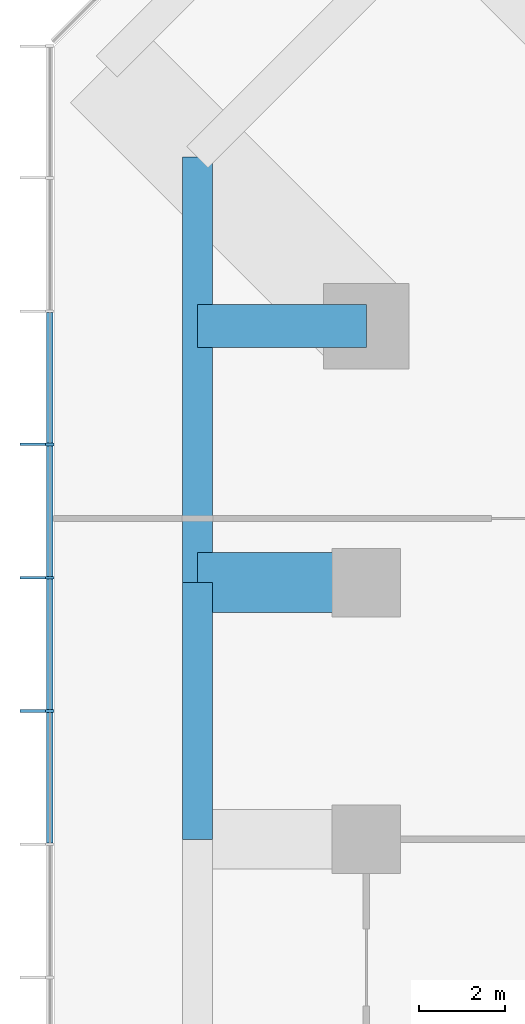
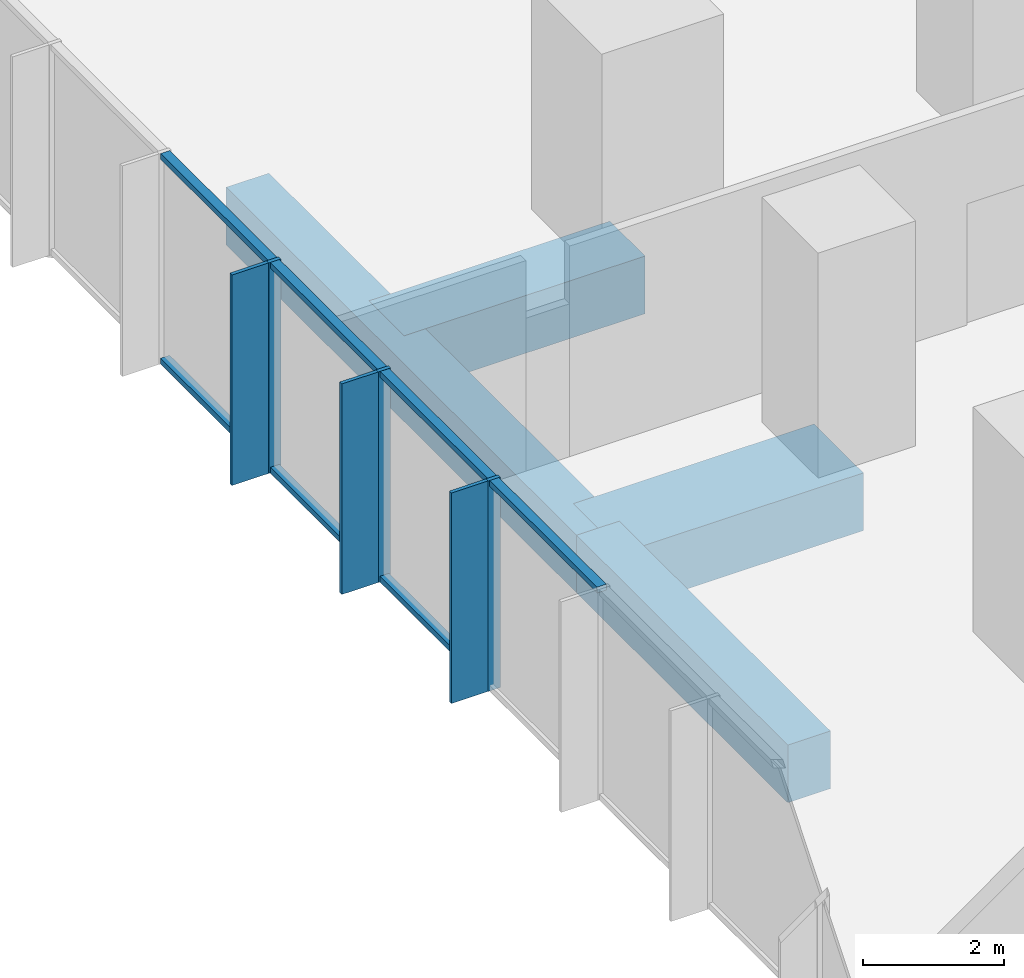
# One storey, part 3 of 11: 13 members, 4 beams, 1 element without a shape of its own.
"""IFC4 building model written with IfcOpenShell, lengths in metres."""

from ifc_helpers import new_model, si_unit, direction, frame, origin, origin_2d, place, context, subcontext, project, spatial, rectangle, extrude, material, layer, layer_set, material_profile, profile_set, type_object, element, aggregate, save


model = new_model("IFC4")

# Units and contexts
model_context = context("Model", 3, precision=1e-05, world=origin(), true_north=direction((0.0, 1.0)))
body_context = subcontext(model_context, "Body", "Model", "MODEL_VIEW")
ifc_project = project(units=[si_unit("LENGTHUNIT", "METRE"), si_unit("AREAUNIT", "SQUARE_METRE"), si_unit("VOLUMEUNIT", "CUBIC_METRE"), si_unit("PLANEANGLEUNIT", "RADIAN"), si_unit("MASSUNIT", "GRAM", prefix="KILO")], contexts=[model_context])

# Site, building, storey
site_placement = place(None, origin())
site = spatial("IfcSite", under=ifc_project, at=site_placement, CompositionType="ELEMENT")
building_placement = place(site_placement, origin())
building = spatial("IfcBuilding", under=site, at=building_placement, Name="Highveld Stack Headquarters", CompositionType="ELEMENT")
storey_placement = place(building_placement, frame((0.0, 0.0, 93.800048828125)))
storey = spatial("IfcBuildingStorey", under=building, at=storey_placement, Name="L22", CompositionType="ELEMENT", Elevation=93.800048828125)

# Beams
ifc_material_1 = material(Name="Concrete C60/75", Category="concrete")
ifc_material_profile_1 = material_profile(ifc_material_1, rectangle(XDim=1.0, YDim=1.0, at=origin_2d()), Name="RC 1000x1000")
ifc_profile_set_1 = profile_set([ifc_material_profile_1], Name="Concrete C60/75")
beam_type_1 = type_object("IfcBeamType", Name="CANTILEVER RIB RC 1000x1000", PredefinedType="USERDEFINED", material=ifc_profile_set_1)
beam_1_placement = place(storey_placement, frame((-18.0, 18.0, -0.75), z_axis=(-1.0, 0.0, 0.0), x_axis=(0.0, -1.0, 0.0)))
element("IfcBeam", 1, at=beam_1_placement, inside=storey, type_object=beam_type_1, Name="Cantilever rib 3/H L22", ObjectType="CANTILEVER RIB", PredefinedType="USERDEFINED", context=body_context, shape_type="SweptSolid", body=[
    extrude(rectangle(XDim=1.0, YDim=1.0, at=origin_2d()), origin(), (0.0, 0.0, 1.0), 3.949951171875),
])
ifc_material_2 = material(Name="Concrete C60/75", Category="concrete")
ifc_material_profile_2 = material_profile(ifc_material_2, rectangle(XDim=1.39990234375, YDim=1.0, at=origin_2d()), Name="RC 1400x1000")
ifc_profile_set_2 = profile_set([ifc_material_profile_2], Name="Concrete C60/75")
beam_type_2 = type_object("IfcBeamType", Name="CANTILEVER RIB RC 1400x1000", PredefinedType="USERDEFINED", material=ifc_profile_set_2)
beam_2_placement = place(storey_placement, frame((-18.0, 12.0, -0.75), z_axis=(-1.0, 0.0, 0.0), x_axis=(0.0, -1.0, 0.0)))
element("IfcBeam", 2, at=beam_2_placement, inside=storey, type_object=beam_type_2, Name="Cantilever rib 3/G L22", ObjectType="CANTILEVER RIB", PredefinedType="USERDEFINED", context=body_context, shape_type="SweptSolid", body=[
    extrude(rectangle(XDim=1.39990234375, YDim=1.0, at=origin_2d()), origin(), (0.0, 0.0, 1.0), 3.949951171875),
])

# Curtain wall, members
ifc_material_3 = material(Name="Aluminium bronze anodised", Category="aluminium")
ifc_layer = layer(ifc_material_3, 0.199951171875)
ifc_layer_set = layer_set([ifc_layer], Name="Aluminium bronze anodised")
curtain_wall_type = type_object("IfcCurtainWallType", Name="CW6 SKY LOBBY UNITISED CURTAIN WALL", PredefinedType="NOTDEFINED", material=ifc_layer_set)
curtain_wall_placement = place(storey_placement, origin())
curtain_wall = element("IfcCurtainWall", 3, at=curtain_wall_placement, inside=storey, type_object=curtain_wall_type, Name="Curtain wall CW6 L22 W", PredefinedType="NOTDEFINED")
ifc_material_4 = material(Name="Aluminium bronze anodised", Category="aluminium")
ifc_material_profile_3 = material_profile(ifc_material_4, rectangle(XDim=0.60009765625, YDim=0.06005859375, at=origin_2d()), Name="FIN 600x60")
ifc_profile_set_3 = profile_set([ifc_material_profile_3], Name="Aluminium bronze anodised")
member_type_1 = type_object("IfcMemberType", Name="CW6 BRONZE FIN 600x60", PredefinedType="USERDEFINED", material=ifc_profile_set_3)
member_1_placement = place(storey_placement, frame((-25.800048828125, 15.23193359375, 0.0), z_axis=(0.0, 0.0, 1.0), x_axis=(1.0, 0.0, 0.0)))
member_1 = element("IfcMember", 4, at=member_1_placement, type_object=member_type_1, Name="CW6 fin L22 4", ObjectType="FIN", PredefinedType="USERDEFINED", context=body_context, shape_type="SweptSolid", body=[
    extrude(rectangle(XDim=0.60009765625, YDim=0.06005859375, at=origin_2d()), origin(), (0.0, 0.0, 1.0), 3.64990234375),
])
member_2_placement = place(storey_placement, frame((-25.800048828125, 12.115966796875, 0.0), z_axis=(0.0, 0.0, 1.0), x_axis=(1.0, 0.0, 0.0)))
member_2 = element("IfcMember", 5, at=member_2_placement, type_object=member_type_1, Name="CW6 fin L22 5", ObjectType="FIN", PredefinedType="USERDEFINED", context=body_context, shape_type="SweptSolid", body=[
    extrude(rectangle(XDim=0.60009765625, YDim=0.06005859375, at=origin_2d()), origin(), (0.0, 0.0, 1.0), 3.64990234375),
])
member_3_placement = place(storey_placement, frame((-25.800048828125, 9.0, 0.0), z_axis=(0.0, 0.0, 1.0), x_axis=(1.0, 0.0, 0.0)))
member_3 = element("IfcMember", 6, at=member_3_placement, type_object=member_type_1, Name="CW6 fin L22 6", ObjectType="FIN", PredefinedType="USERDEFINED", context=body_context, shape_type="SweptSolid", body=[
    extrude(rectangle(XDim=0.60009765625, YDim=0.06005859375, at=origin_2d()), origin(), (0.0, 0.0, 1.0), 3.64990234375),
])
ifc_material_5 = material(Name="Aluminium bronze anodised", Category="aluminium")
ifc_material_profile_4 = material_profile(ifc_material_5, rectangle(XDim=0.199951171875, YDim=0.06494140625, at=origin_2d()), Name="CW6 MULLION 65x200")
ifc_profile_set_4 = profile_set([ifc_material_profile_4], Name="Aluminium bronze anodised")
member_type_2 = type_object("IfcMemberType", Name="CW6 MULLION 65x200", PredefinedType="MULLION", material=ifc_profile_set_4)
member_4_placement = place(storey_placement, frame((-25.39990234375, 15.23193359375, 0.0), z_axis=(0.0, 0.0, 1.0), x_axis=(1.0, 0.0, 0.0)))
member_4 = element("IfcMember", 7, at=member_4_placement, type_object=member_type_2, Name="CW6 mullion L22 4", PredefinedType="MULLION", context=body_context, shape_type="SweptSolid", body=[
    extrude(rectangle(XDim=0.199951171875, YDim=0.06494140625, at=origin_2d()), origin(), (0.0, 0.0, 1.0), 3.64990234375),
])
member_5_placement = place(storey_placement, frame((-25.39990234375, 12.115966796875, 0.0), z_axis=(0.0, 0.0, 1.0), x_axis=(1.0, 0.0, 0.0)))
member_5 = element("IfcMember", 8, at=member_5_placement, type_object=member_type_2, Name="CW6 mullion L22 5", PredefinedType="MULLION", context=body_context, shape_type="SweptSolid", body=[
    extrude(rectangle(XDim=0.199951171875, YDim=0.06494140625, at=origin_2d()), origin(), (0.0, 0.0, 1.0), 3.64990234375),
])
member_6_placement = place(storey_placement, frame((-25.39990234375, 9.0, 0.0), z_axis=(0.0, 0.0, 1.0), x_axis=(1.0, 0.0, 0.0)))
member_6 = element("IfcMember", 9, at=member_6_placement, type_object=member_type_2, Name="CW6 mullion L22 6", PredefinedType="MULLION", context=body_context, shape_type="SweptSolid", body=[
    extrude(rectangle(XDim=0.199951171875, YDim=0.06494140625, at=origin_2d()), origin(), (0.0, 0.0, 1.0), 3.64990234375),
])
ifc_material_6 = material(Name="Aluminium bronze anodised", Category="aluminium")
ifc_material_profile_5 = material_profile(ifc_material_6, rectangle(XDim=0.14990234375, YDim=0.10009765625, at=origin_2d()), Name="CW6 TRANSOM 150x100")
ifc_profile_set_5 = profile_set([ifc_material_profile_5], Name="Aluminium bronze anodised")
member_type_3 = type_object("IfcMemberType", Name="CW6 STACK TRANSOM 150x100", PredefinedType="USERDEFINED", material=ifc_profile_set_5)
member_7_placement = place(storey_placement, frame((-25.39990234375, 18.3154296875, 0.050048828125), z_axis=(0.0, -1.0, 0.0), x_axis=(1.0, 0.0, 0.0)))
member_7 = element("IfcMember", 10, at=member_7_placement, type_object=member_type_3, Name="CW6 transom L22 3.1", ObjectType="TRANSOM", PredefinedType="USERDEFINED", context=body_context, shape_type="SweptSolid", body=[
    extrude(rectangle(XDim=0.14990234375, YDim=0.10009765625, at=origin_2d()), origin(), (0.0, 0.0, 1.0), 3.051025390625),
])
member_8_placement = place(storey_placement, frame((-25.39990234375, 18.3154296875, 3.599853515625), z_axis=(0.0, -1.0, 0.0), x_axis=(1.0, 0.0, 0.0)))
member_8 = element("IfcMember", 11, at=member_8_placement, type_object=member_type_3, Name="CW6 transom L22 3.2", ObjectType="TRANSOM", PredefinedType="USERDEFINED", context=body_context, shape_type="SweptSolid", body=[
    extrude(rectangle(XDim=0.14990234375, YDim=0.10009765625, at=origin_2d()), origin(), (0.0, 0.0, 1.0), 3.051025390625),
])
member_9_placement = place(storey_placement, frame((-25.39990234375, 15.199462890625, 0.050048828125), z_axis=(0.0, -1.0, 0.0), x_axis=(1.0, 0.0, 0.0)))
member_9 = element("IfcMember", 12, at=member_9_placement, type_object=member_type_3, Name="CW6 transom L22 4.1", ObjectType="TRANSOM", PredefinedType="USERDEFINED", context=body_context, shape_type="SweptSolid", body=[
    extrude(rectangle(XDim=0.14990234375, YDim=0.10009765625, at=origin_2d()), origin(), (0.0, 0.0, 1.0), 3.051025390625),
])
member_10_placement = place(storey_placement, frame((-25.39990234375, 15.199462890625, 3.599853515625), z_axis=(0.0, -1.0, 0.0), x_axis=(1.0, 0.0, 0.0)))
member_10 = element("IfcMember", 13, at=member_10_placement, type_object=member_type_3, Name="CW6 transom L22 4.2", ObjectType="TRANSOM", PredefinedType="USERDEFINED", context=body_context, shape_type="SweptSolid", body=[
    extrude(rectangle(XDim=0.14990234375, YDim=0.10009765625, at=origin_2d()), origin(), (0.0, 0.0, 1.0), 3.051025390625),
])
member_11_placement = place(storey_placement, frame((-25.39990234375, 12.08349609375, 0.050048828125), z_axis=(0.0, -1.0, 0.0), x_axis=(1.0, 0.0, 0.0)))
member_11 = element("IfcMember", 14, at=member_11_placement, type_object=member_type_3, Name="CW6 transom L22 5.1", ObjectType="TRANSOM", PredefinedType="USERDEFINED", context=body_context, shape_type="SweptSolid", body=[
    extrude(rectangle(XDim=0.14990234375, YDim=0.10009765625, at=origin_2d()), origin(), (0.0, 0.0, 1.0), 3.051025390625),
])
member_12_placement = place(storey_placement, frame((-25.39990234375, 12.08349609375, 3.599853515625), z_axis=(0.0, -1.0, 0.0), x_axis=(1.0, 0.0, 0.0)))
member_12 = element("IfcMember", 15, at=member_12_placement, type_object=member_type_3, Name="CW6 transom L22 5.2", ObjectType="TRANSOM", PredefinedType="USERDEFINED", context=body_context, shape_type="SweptSolid", body=[
    extrude(rectangle(XDim=0.14990234375, YDim=0.10009765625, at=origin_2d()), origin(), (0.0, 0.0, 1.0), 3.051025390625),
])
member_13_placement = place(storey_placement, frame((-25.39990234375, 8.967529296875, 3.599853515625), z_axis=(0.0, -1.0, 0.0), x_axis=(1.0, 0.0, 0.0)))
member_13 = element("IfcMember", 16, at=member_13_placement, type_object=member_type_3, Name="CW6 transom L22 6.2", ObjectType="TRANSOM", PredefinedType="USERDEFINED", context=body_context, shape_type="SweptSolid", body=[
    extrude(rectangle(XDim=0.14990234375, YDim=0.10009765625, at=origin_2d()), origin(), (0.0, 0.0, 1.0), 3.051025390625),
])
aggregate(curtain_wall, [member_4, member_1, member_5, member_2, member_6, member_3, member_7, member_8, member_9, member_10, member_11, member_12, member_13])

# Beams
ifc_material_7 = material(Name="Concrete C60/75", Category="concrete")
ifc_material_profile_6 = material_profile(ifc_material_7, rectangle(XDim=0.699951171875, YDim=1.0, at=origin_2d()), Name="RC 700x1000")
ifc_profile_set_6 = profile_set([ifc_material_profile_6], Name="Concrete C60/75")
beam_type_3 = type_object("IfcBeamType", Name="RIB TIP BEAM RC 700x1000", PredefinedType="SPANDREL", material=ifc_profile_set_6)
beam_3_placement = place(storey_placement, frame((-21.949951171875, 6.0, -0.75), z_axis=(0.0, 1.0, 0.0), x_axis=(-1.0, 0.0, 0.0)))
element("IfcBeam", 17, at=beam_3_placement, inside=storey, type_object=beam_type_3, Name="Rib tip beam 3/F to 3/G L22", PredefinedType="SPANDREL", context=body_context, shape_type="SweptSolid", body=[
    extrude(rectangle(XDim=0.699951171875, YDim=1.0, at=origin_2d()), origin(), (0.0, 0.0, 1.0), 6.0),
])
beam_4_placement = place(storey_placement, frame((-21.949951171875, 12.0, -0.75), z_axis=(0.0, 1.0, 0.0), x_axis=(-1.0, 0.0, 0.0)))
element("IfcBeam", 18, at=beam_4_placement, inside=storey, type_object=beam_type_3, Name="Rib tip beam 3/G to 3/H L22", PredefinedType="SPANDREL", context=body_context, shape_type="SweptSolid", body=[
    extrude(rectangle(XDim=0.699951171875, YDim=1.0, at=origin_2d()), origin(), (0.0, 0.0, 1.0), 9.949951171875),
])

save(model, "model.ifc")
